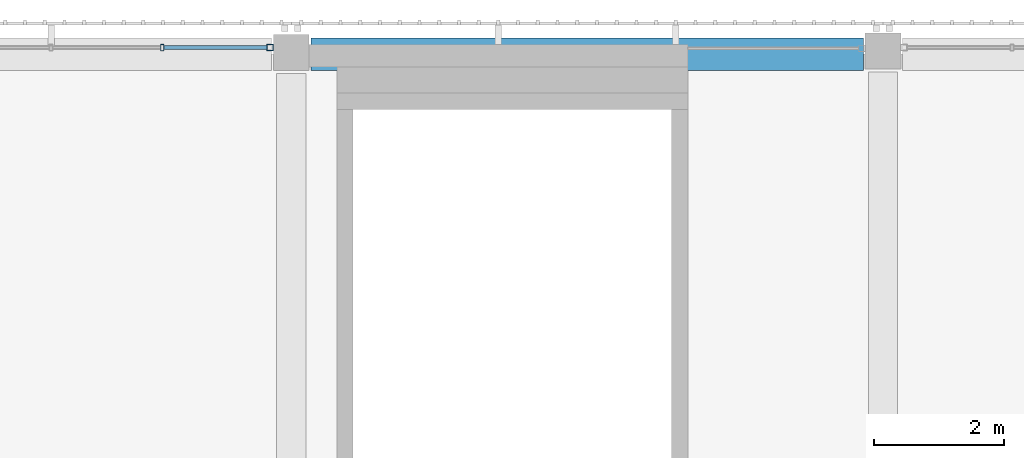
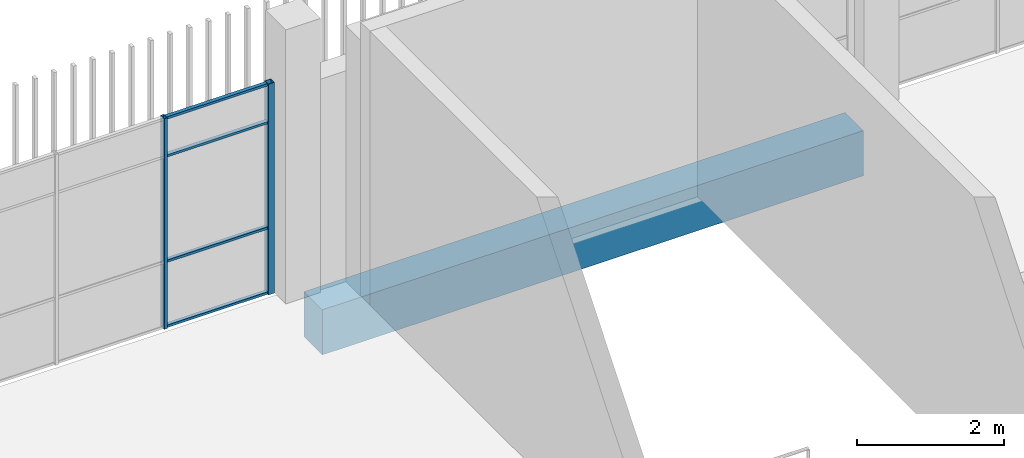
# One storey, part 33 of 104: 6 members, 1 beam, 1 element without a shape of its own.
"""IFC4 building model written with IfcOpenShell, lengths in metres."""

from ifc_helpers import new_model, si_unit, direction, frame, origin, origin_2d, place, context, subcontext, project, spatial, rectangle, hollow_rectangle, extrude, material, layer, layer_set, material_profile, profile_set, type_object, element, aggregate, save


model = new_model("IFC4")

# Units and contexts
model_context = context("Model", 3, precision=1e-05, world=origin(), true_north=direction((0.0, 1.0)))
body_context = subcontext(model_context, "Body", "Model", "MODEL_VIEW")
ifc_project = project(units=[si_unit("LENGTHUNIT", "METRE"), si_unit("AREAUNIT", "SQUARE_METRE"), si_unit("VOLUMEUNIT", "CUBIC_METRE"), si_unit("PLANEANGLEUNIT", "RADIAN"), si_unit("MASSUNIT", "GRAM", prefix="KILO")], contexts=[model_context])

# Site, building, storey
site_placement = place(None, origin())
site = spatial("IfcSite", under=ifc_project, at=site_placement, CompositionType="ELEMENT")
building_placement = place(site_placement, origin())
building = spatial("IfcBuilding", under=site, at=building_placement, Name="Shirokan Park Arena", CompositionType="ELEMENT")
storey_placement = place(building_placement, frame((0.0, 0.0, 10.919921875)))
storey = spatial("IfcBuildingStorey", under=building, at=storey_placement, Name="L02", CompositionType="ELEMENT", Elevation=10.919921875)

# Curtain wall, members
ifc_material_1 = material(Name="Steel and glass curtain wall", Category="steel")
ifc_layer = layer(ifc_material_1, 0.10009765625)
ifc_layer_set = layer_set([ifc_layer], Name="Steel and glass curtain wall 100 mm")
curtain_wall_type = type_object("IfcCurtainWallType", Name="Curtain wall sheltered bay 100", PredefinedType="NOTDEFINED", material=ifc_layer_set)
curtain_wall_placement = place(storey_placement, origin())
curtain_wall = element("IfcCurtainWall", 1, at=curtain_wall_placement, inside=storey, type_object=curtain_wall_type, Name="Curtain wall north bay 8 L02", PredefinedType="NOTDEFINED")
ifc_material_2 = material(Name="Steel S355", Category="steel")
ifc_material_profile_1 = material_profile(ifc_material_2, hollow_rectangle(XDim=0.10009765625, YDim=0.10009765625, WallThickness=0.006103515625, at=origin_2d()), Name="RHS 100x100x6")
ifc_profile_set_1 = profile_set([ifc_material_profile_1], Name="Steel S355")
member_type_1 = type_object("IfcMemberType", Name="Mullion RHS 100x100x6", PredefinedType="MULLION", material=ifc_profile_set_1)
member_1_placement = place(storey_placement, frame((81.574951171875, 109.300048828125, 0.0), z_axis=(0.0, 0.0, 1.0), x_axis=(0.0, -1.0, 0.0)))
member_1 = element("IfcMember", 2, at=member_1_placement, type_object=member_type_1, Name="CW2 mullion 1", PredefinedType="MULLION", context=body_context, shape_type="SweptSolid", body=[
    extrude(hollow_rectangle(XDim=0.10009765625, YDim=0.10009765625, WallThickness=0.006103515625, at=origin_2d()), origin(), (0.0, 0.0, 1.0), 3.5),
])
ifc_material_profile_2 = material_profile(ifc_material_2, hollow_rectangle(XDim=0.10009765625, YDim=0.050048828125, WallThickness=0.0048828125, at=origin_2d()), Name="RHS 100x50x5")
ifc_profile_set_2 = profile_set([ifc_material_profile_2], Name="Steel S355")
member_type_2 = type_object("IfcMemberType", Name="Mullion RHS 100x50x5", PredefinedType="MULLION", material=ifc_profile_set_2)
member_2_placement = place(storey_placement, frame((79.9150390625, 109.300048828125, 0.0), z_axis=(0.0, 0.0, 1.0), x_axis=(0.0, -1.0, 0.0)))
member_2 = element("IfcMember", 3, at=member_2_placement, type_object=member_type_2, Name="CW2 mullion 2", PredefinedType="MULLION", context=body_context, shape_type="SweptSolid", body=[
    extrude(hollow_rectangle(XDim=0.10009765625, YDim=0.050048828125, WallThickness=0.0048828125, at=origin_2d()), origin(), (0.0, 0.0, 1.0), 3.5),
])

# Beam
ifc_material_3 = material(Name="Concrete C35", Category="concrete")
ifc_material_profile_3 = material_profile(ifc_material_3, rectangle(XDim=0.5, YDim=0.75, at=origin_2d()), Name="500x750")
ifc_profile_set_3 = profile_set([ifc_material_profile_3], Name="Concrete C35")
beam_type = type_object("IfcBeamType", Name="RC girder 500x750", PredefinedType="BEAM", material=ifc_profile_set_3)
beam_placement = place(storey_placement, frame((82.2001953125, 109.199951171875, -0.6748046875), z_axis=(1.0, 0.0, 0.0), x_axis=(0.0, 1.0, 0.0)))
element("IfcBeam", 4, at=beam_placement, inside=storey, type_object=beam_type, Name="Girder 10N-11N L02", PredefinedType="BEAM", context=body_context, shape_type="SweptSolid", body=[
    extrude(rectangle(XDim=0.5, YDim=0.75, at=origin_2d()), origin(), (0.0, 0.0, 1.0), 8.499755859375),
])

# Member
ifc_material_profile_4 = material_profile(ifc_material_2, hollow_rectangle(XDim=0.06005859375, YDim=0.0400390625, WallThickness=0.00390625, at=origin_2d()), Name="RHS 60x40x4")
ifc_profile_set_4 = profile_set([ifc_material_profile_4], Name="Steel S355")
member_type_3 = type_object("IfcMemberType", Name="Transom RHS 60x40x4", PredefinedType="MULLION", material=ifc_profile_set_4)
member_3_placement = place(storey_placement, frame((81.52490234375, 109.300048828125, 0.02001953125), z_axis=(-1.0, 0.0, 0.0), x_axis=(0.0, -1.0, 0.0)))
member_3 = element("IfcMember", 5, at=member_3_placement, type_object=member_type_3, Name="CW2 transom 1.1", PredefinedType="MULLION", context=body_context, shape_type="SweptSolid", body=[
    extrude(hollow_rectangle(XDim=0.06005859375, YDim=0.0400390625, WallThickness=0.00390625, at=origin_2d()), origin(), (0.0, 0.0, 1.0), 1.5849609375),
])

member_4_placement = place(storey_placement, frame((81.52490234375, 109.300048828125, 1.10009765625), z_axis=(-1.0, 0.0, 0.0), x_axis=(0.0, -1.0, 0.0)))
member_4 = element("IfcMember", 6, at=member_4_placement, type_object=member_type_3, Name="CW2 transom 1.2", PredefinedType="MULLION", context=body_context, shape_type="SweptSolid", body=[
    extrude(hollow_rectangle(XDim=0.06005859375, YDim=0.0400390625, WallThickness=0.00390625, at=origin_2d()), origin(), (0.0, 0.0, 1.0), 1.5849609375),
])

member_5_placement = place(storey_placement, frame((81.52490234375, 109.300048828125, 2.85009765625), z_axis=(-1.0, 0.0, 0.0), x_axis=(0.0, -1.0, 0.0)))
member_5 = element("IfcMember", 7, at=member_5_placement, type_object=member_type_3, Name="CW2 transom 1.3", PredefinedType="MULLION", context=body_context, shape_type="SweptSolid", body=[
    extrude(hollow_rectangle(XDim=0.06005859375, YDim=0.0400390625, WallThickness=0.00390625, at=origin_2d()), origin(), (0.0, 0.0, 1.0), 1.5849609375),
])

member_6_placement = place(storey_placement, frame((81.52490234375, 109.300048828125, 3.47998046875), z_axis=(-1.0, 0.0, 0.0), x_axis=(0.0, -1.0, 0.0)))
member_6 = element("IfcMember", 8, at=member_6_placement, type_object=member_type_3, Name="CW2 transom 1.4", PredefinedType="MULLION", context=body_context, shape_type="SweptSolid", body=[
    extrude(hollow_rectangle(XDim=0.06005859375, YDim=0.0400390625, WallThickness=0.00390625, at=origin_2d()), origin(), (0.0, 0.0, 1.0), 1.5849609375),
])

aggregate(curtain_wall, [member_1, member_2, member_3, member_4, member_5, member_6])

save(model, "model.ifc")
